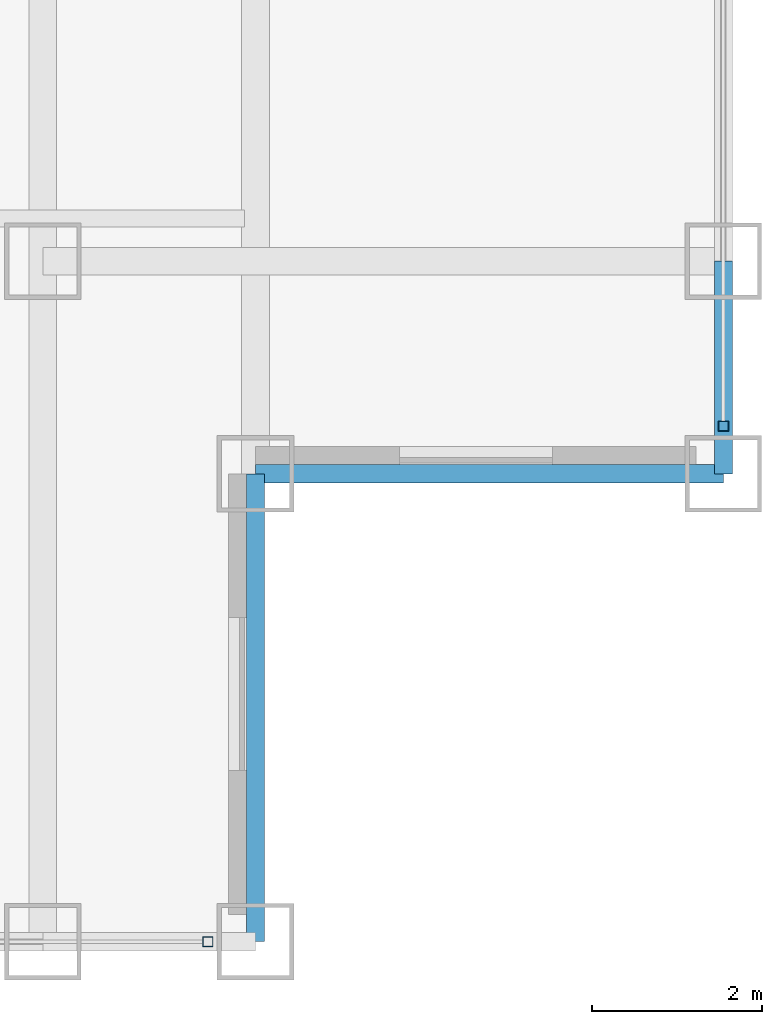
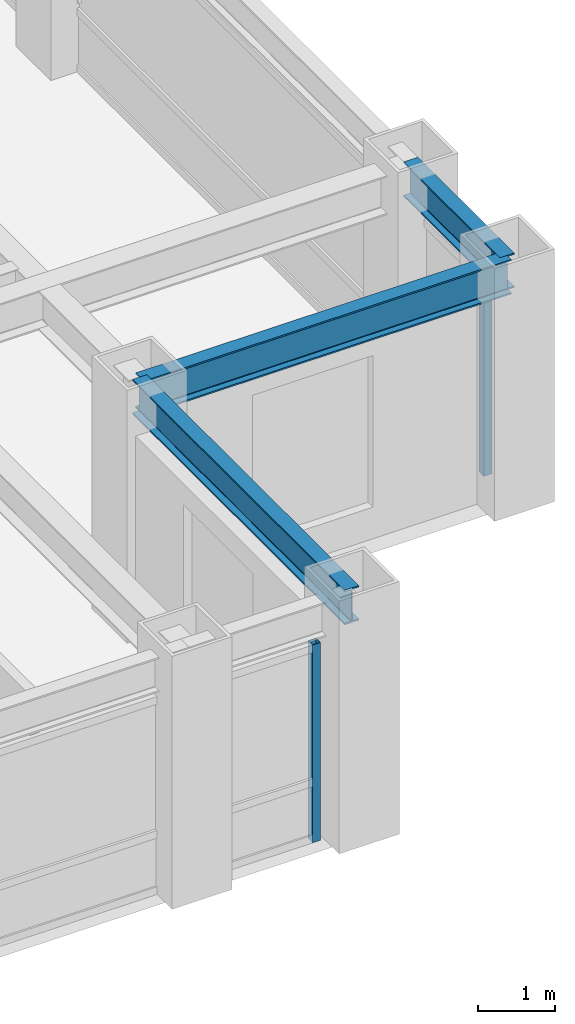
# One storey, part 8 of 22: 3 beams, 2 members, 2 elements without a shape of their own.
"""IFC4 building model written with IfcOpenShell, lengths in metres."""

from ifc_helpers import new_model, si_unit, direction, frame, origin, origin_2d, place, context, subcontext, project, spatial, hollow_rectangle, i_section, extrude, source, transform, mapped, material, material_profile, profile_set, type_object, element, aggregate, save


model = new_model("IFC4")

# Units and contexts
model_context = context("Model", 3, precision=1e-05, world=origin(), true_north=direction((0.0, 1.0)))
body_context = subcontext(model_context, "Body", "Model", "MODEL_VIEW")
ifc_project = project(units=[si_unit("LENGTHUNIT", "METRE"), si_unit("AREAUNIT", "SQUARE_METRE"), si_unit("VOLUMEUNIT", "CUBIC_METRE"), si_unit("PLANEANGLEUNIT", "RADIAN"), si_unit("MASSUNIT", "GRAM", prefix="KILO")], contexts=[model_context])

# Site, building, storey
site_placement = place(None, origin())
site = spatial("IfcSite", under=ifc_project, at=site_placement, CompositionType="ELEMENT")
building_placement = place(site_placement, origin())
building = spatial("IfcBuilding", under=site, at=building_placement, Name="Khorayat Bourse Tower", CompositionType="ELEMENT")
storey_placement = place(building_placement, frame((0.0, 0.0, 309.5)))
storey = spatial("IfcBuildingStorey", under=building, at=storey_placement, Name="L73", CompositionType="ELEMENT", Elevation=309.5)

# Beams
ifc_material_1 = material(Name="Steel ASTM A992 Grade 50", Category="steel")
ifc_material_profile_1 = material_profile(ifc_material_1, i_section(OverallWidth=0.214111328125, OverallDepth=0.549072265625, WebThickness=0.0146484375, FlangeThickness=0.023681640625, FilletRadius=0.013916015625, at=origin_2d()), Name="W530X138")
ifc_profile_set_1 = profile_set([ifc_material_profile_1], Name="Steel ASTM A992 Grade 50")
beam_type = type_object("IfcBeamType", Name="BM-SPAN-530", PredefinedType="SPANDREL", material=ifc_profile_set_1)
shared_shape_1 = source(origin(), body_context, "Body", "SweptSolid", [
    extrude(i_section(OverallWidth=0.214111328125, OverallDepth=0.549072265625, WebThickness=0.0146484375, FlangeThickness=0.023681640625, FilletRadius=0.013916015625, at=origin_2d()), origin(), (0.0, 0.0, 1.0), 2.5),
])
beam_placement = place(storey_placement, frame((28.0, -22.5, 3.505615234375), z_axis=(0.0, 1.0, 0.0), x_axis=(-1.0, 0.0, 0.0)))
element("IfcBeam", 1, at=beam_placement, inside=storey, type_object=beam_type, Name="L73 BM-SPAN-530 BM-L73-SPN-034", PredefinedType="SPANDREL", context=body_context, shape_type="MappedRepresentation", body=[
    mapped(shared_shape_1, transform((0.0, 0.0, 0.0), scale=1.0)),
])
shared_shape_2 = source(origin(), body_context, "Body", "SweptSolid", [
    extrude(i_section(OverallWidth=0.214111328125, OverallDepth=0.549072265625, WebThickness=0.0146484375, FlangeThickness=0.023681640625, FilletRadius=0.013916015625, at=origin_2d()), origin(), (0.0, 0.0, 1.0), 5.5),
])
for number, where, z_axis, x_axis, name in (
    (2, (22.5, -28.0, 3.505615234375), (0.0, 1.0, 0.0), (-1.0, 0.0, 0.0), "L73 BM-SPAN-530 BM-L73-SPN-032"),
    (3, (22.5, -22.5, 3.505615234375), (1.0, 0.0, 0.0), (0.0, 1.0, 0.0), "L73 BM-SPAN-530 BM-L73-SPN-033"),
):
    element("IfcBeam", number, at=place(storey_placement, frame(where, z_axis=z_axis, x_axis=x_axis)), inside=storey, type_object=beam_type, Name=name, PredefinedType="SPANDREL", context=body_context, shape_type="MappedRepresentation", body=[
        mapped(shared_shape_2, transform((0.0, 0.0, 0.0), scale=1.0)),
    ])

# Curtain wall, member
ifc_material_2 = material(Name="Aluminium EN AW-6063 T6", Category="aluminium")
curtain_wall_type = type_object("IfcCurtainWallType", Name="CW-SYS-04", PredefinedType="NOTDEFINED", material=ifc_material_2)
curtain_wall_1_placement = place(storey_placement, origin())
curtain_wall_1 = element("IfcCurtainWall", 4, at=curtain_wall_1_placement, inside=storey, type_object=curtain_wall_type, Name="L73 Curtain Wall CW-L73-S1", PredefinedType="NOTDEFINED")
ifc_material_profile_2 = material_profile(ifc_material_2, hollow_rectangle(XDim=0.1201171875, YDim=0.1201171875, WallThickness=0.0048828125, at=origin_2d()), Name="ALU 120x120x5")
ifc_profile_set_2 = profile_set([ifc_material_profile_2], Name="Aluminium EN AW-6063 T6")
member_type = type_object("IfcMemberType", Name="CWM-VERT-120", PredefinedType="MULLION", material=ifc_profile_set_2)
shared_shape_3 = source(origin(), body_context, "Body", "SweptSolid", [
    extrude(hollow_rectangle(XDim=0.1201171875, YDim=0.1201171875, WallThickness=0.0048828125, at=origin_2d()), origin(), (0.0, 0.0, 1.0), 3.1298828125),
])
member_1_placement = place(storey_placement, frame((21.93994140625, -28.0, 0.0), z_axis=(0.0, 0.0, 1.0), x_axis=(0.0, 1.0, 0.0)))
member_1 = element("IfcMember", 5, at=member_1_placement, type_object=member_type, Name="CW-L73-S1 Vertical Mullion 3", PredefinedType="MULLION", context=body_context, shape_type="MappedRepresentation", body=[
    mapped(shared_shape_3, transform((0.0, 0.0, 0.0), scale=1.0)),
])
aggregate(curtain_wall_1, [member_1])

curtain_wall_2_placement = place(storey_placement, origin())
curtain_wall_2 = element("IfcCurtainWall", 6, at=curtain_wall_2_placement, inside=storey, type_object=curtain_wall_type, Name="L73 Curtain Wall CW-L73-E1", PredefinedType="NOTDEFINED")
member_2_placement = place(storey_placement, frame((28.0, -21.93994140625, 0.0), z_axis=(0.0, 0.0, 1.0), x_axis=(-1.0, 0.0, 0.0)))
member_2 = element("IfcMember", 7, at=member_2_placement, type_object=member_type, Name="CW-L73-E1 Vertical Mullion 1", PredefinedType="MULLION", context=body_context, shape_type="MappedRepresentation", body=[
    mapped(shared_shape_3, transform((0.0, 0.0, 0.0), scale=1.0)),
])
aggregate(curtain_wall_2, [member_2])

save(model, "model.ifc")
